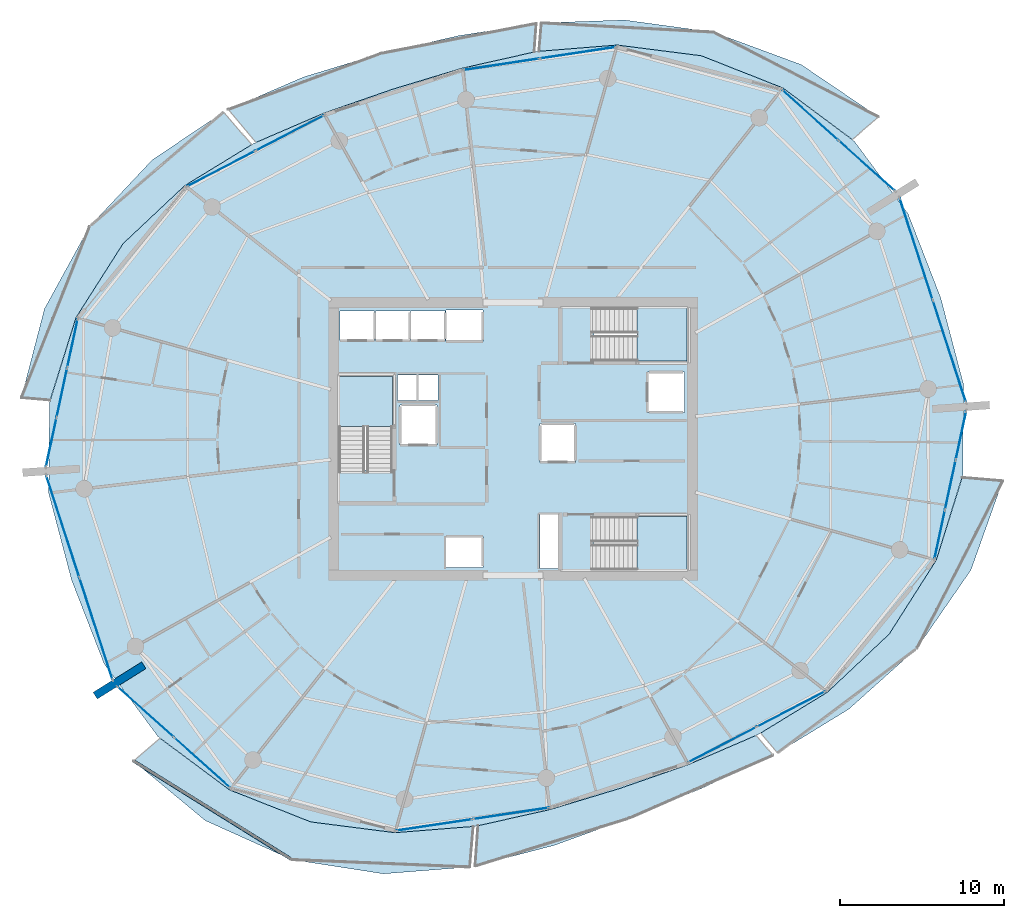
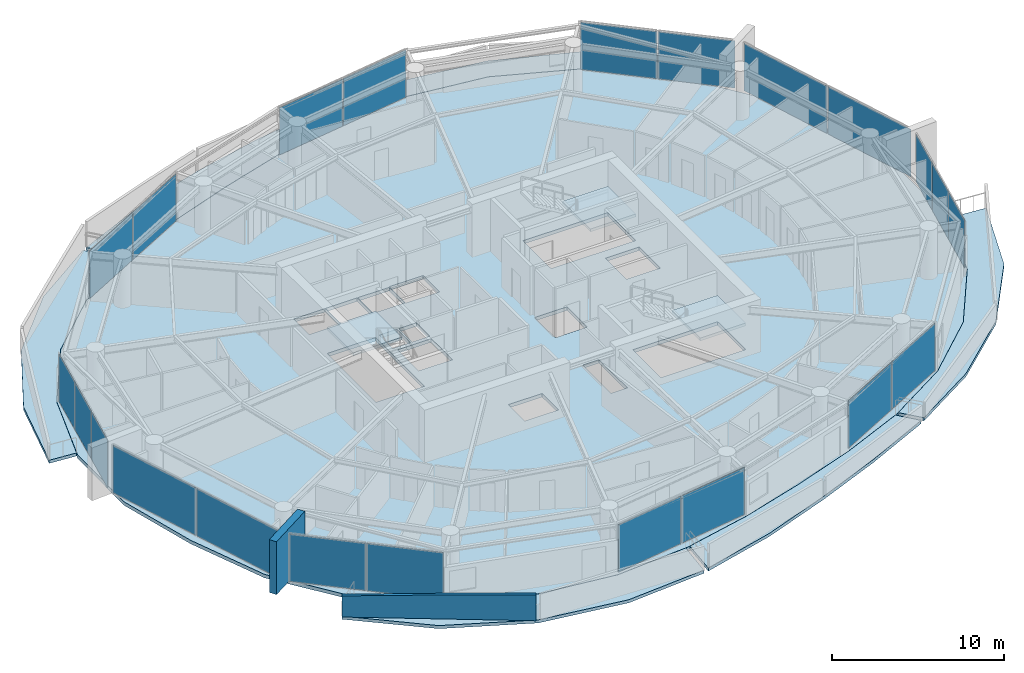
# One storey, part 10 of 20: 22 plates, 10 slabs, 2 walls, 13 elements without a shape of their own.
"""IFC4 building model written with IfcOpenShell, lengths in metres."""

from ifc_helpers import new_model, si_unit, direction, frame, frame_2d, origin, origin_2d, place, context, subcontext, project, spatial, polyline, rectangle, outline, extrude, material, layer, layer_set, type_object, element, aggregate, save


model = new_model("IFC4")

# Units and contexts
model_context = context("Model", 3, precision=1e-05, world=origin(), true_north=direction((0.0, 1.0)))
body_context = subcontext(model_context, "Body", "Model", "MODEL_VIEW")
ifc_project = project(units=[si_unit("LENGTHUNIT", "METRE"), si_unit("AREAUNIT", "SQUARE_METRE"), si_unit("VOLUMEUNIT", "CUBIC_METRE"), si_unit("PLANEANGLEUNIT", "RADIAN"), si_unit("MASSUNIT", "GRAM", prefix="KILO")], contexts=[model_context])

# Site, building, storey
site_placement = place(None, origin())
site = spatial("IfcSite", under=ifc_project, at=site_placement, CompositionType="ELEMENT")
building_placement = place(site_placement, origin())
building = spatial("IfcBuilding", under=site, at=building_placement, Name="Kazma Halo Residences", CompositionType="ELEMENT")
storey_placement = place(building_placement, frame((0.0, 0.0, 206.550048828125)))
storey = spatial("IfcBuildingStorey", under=building, at=storey_placement, Name="L52", CompositionType="ELEMENT", Elevation=206.550048828125)

# Curtain wall, plates
ifc_material_1 = material(Name="Aluminium AW-6063 T6 and Triple-Silver Low-E Glass", Category="aluminium")
ifc_layer_1 = layer(ifc_material_1, 0.219970703125)
ifc_layer_set_1 = layer_set([ifc_layer_1], Name="Aluminium AW-6063 T6 and Triple-Silver Low-E Glass")
curtain_wall_type = type_object("IfcCurtainWallType", Name="CW-SYS-4", PredefinedType="NOTDEFINED", material=ifc_layer_set_1)
curtain_wall_1_placement = place(storey_placement, origin())
curtain_wall_1 = element("IfcCurtainWall", 1, at=curtain_wall_1_placement, inside=storey, type_object=curtain_wall_type, Name="L52 unitised curtain wall B01", PredefinedType="NOTDEFINED")
ifc_material_2 = material(Name="Clear Triple-Silver Low-E Glass IGU", Category="glass")
ifc_layer_2 = layer(ifc_material_2, 0.033935546875)
ifc_layer_set_2 = layer_set([ifc_layer_2], Name="Clear Triple-Silver Low-E Glass IGU")
plate_type = type_object("IfcPlateType", Name="CW-SYS-4-PNL", PredefinedType="CURTAIN_PANEL", material=ifc_layer_set_2)
plate_1_placement = place(storey_placement, frame((70.001220703125, 58.669677734375, 0.074951171875), z_axis=(0.0, 0.0, 1.0), x_axis=(-0.744354814723, 0.667784328806, 0.0)))
plate_1 = element("IfcPlate", 2, at=plate_1_placement, type_object=plate_type, Name="CWS-4 panel 1.1", PredefinedType="CURTAIN_PANEL", context=body_context, shape_type="SweptSolid", body=[
    extrude(rectangle(XDim=4.5478515625, YDim=0.033935546875, at=origin_2d()), origin(), (0.0, 0.0, 1.0), 3.35009765625),
])
plate_2_placement = place(storey_placement, frame((66.56005859375, 61.7568359375, 0.074951171875), z_axis=(0.0, 0.0, 1.0), x_axis=(-0.744354814723, 0.667784328806, 0.0)))
plate_2 = element("IfcPlate", 3, at=plate_2_placement, type_object=plate_type, Name="CWS-4 panel 2.1", PredefinedType="CURTAIN_PANEL", context=body_context, shape_type="SweptSolid", body=[
    extrude(rectangle(XDim=4.5478515625, YDim=0.033935546875, at=origin_2d()), origin(), (0.0, 0.0, 1.0), 3.35009765625),
])
aggregate(curtain_wall_1, [plate_1, plate_2])

curtain_wall_2_placement = place(storey_placement, origin())
curtain_wall_2 = element("IfcCurtainWall", 4, at=curtain_wall_2_placement, inside=storey, type_object=curtain_wall_type, Name="L52 unitised curtain wall B03", PredefinedType="NOTDEFINED")
plate_3_placement = place(storey_placement, frame((52.375, 65.562255859375, 0.074951171875), z_axis=(0.0, 0.0, 1.0), x_axis=(-0.988871428361, -0.148772639188, 0.0)))
plate_3 = element("IfcPlate", 5, at=plate_3_placement, type_object=plate_type, Name="CWS-4 panel 1.1", PredefinedType="CURTAIN_PANEL", context=body_context, shape_type="SweptSolid", body=[
    extrude(rectangle(XDim=4.64501953125, YDim=0.033935546875, at=origin_2d()), origin(), (0.0, 0.0, 1.0), 3.35009765625),
])
plate_4_placement = place(storey_placement, frame((47.70751953125, 64.860107421875, 0.074951171875), z_axis=(0.0, 0.0, 1.0), x_axis=(-0.988871428361, -0.148772639188, 0.0)))
plate_4 = element("IfcPlate", 6, at=plate_4_placement, type_object=plate_type, Name="CWS-4 panel 2.1", PredefinedType="CURTAIN_PANEL", context=body_context, shape_type="SweptSolid", body=[
    extrude(rectangle(XDim=4.64501953125, YDim=0.033935546875, at=origin_2d()), origin(), (0.0, 0.0, 1.0), 3.35009765625),
])
aggregate(curtain_wall_2, [plate_3, plate_4])

curtain_wall_3_placement = place(storey_placement, origin())
curtain_wall_3 = element("IfcCurtainWall", 7, at=curtain_wall_3_placement, inside=storey, type_object=curtain_wall_type, Name="L52 unitised curtain wall B05", PredefinedType="NOTDEFINED")
plate_5_placement = place(storey_placement, frame((34.7998046875, 60.666015625, 0.074951171875), z_axis=(0.0, 0.0, 1.0), x_axis=(-0.887465657575, -0.460873851097, 0.0)))
plate_5 = element("IfcPlate", 8, at=plate_5_placement, type_object=plate_type, Name="CWS-4 panel 1.1", PredefinedType="CURTAIN_PANEL", context=body_context, shape_type="SweptSolid", body=[
    extrude(rectangle(XDim=4.64501953125, YDim=0.033935546875, at=origin_2d()), origin(), (0.0, 0.0, 1.0), 3.35009765625),
])
plate_6_placement = place(storey_placement, frame((30.61083984375, 58.49072265625, 0.074951171875), z_axis=(0.0, 0.0, 1.0), x_axis=(-0.887465657575, -0.460873851097, 0.0)))
plate_6 = element("IfcPlate", 9, at=plate_6_placement, type_object=plate_type, Name="CWS-4 panel 2.1", PredefinedType="CURTAIN_PANEL", context=body_context, shape_type="SweptSolid", body=[
    extrude(rectangle(XDim=4.64501953125, YDim=0.033935546875, at=origin_2d()), origin(), (0.0, 0.0, 1.0), 3.35009765625),
])
aggregate(curtain_wall_3, [plate_5, plate_6])

curtain_wall_4_placement = place(storey_placement, origin())
curtain_wall_4 = element("IfcCurtainWall", 10, at=curtain_wall_4_placement, inside=storey, type_object=curtain_wall_type, Name="L52 unitised curtain wall B07", PredefinedType="NOTDEFINED")
plate_7_placement = place(storey_placement, frame((21.53466796875, 47.833740234375, 0.074951171875), z_axis=(0.0, 0.0, 1.0), x_axis=(-0.209689543175, -0.977768017212, 0.0)))
plate_7 = element("IfcPlate", 11, at=plate_7_placement, type_object=plate_type, Name="CWS-4 panel 1.1", PredefinedType="CURTAIN_PANEL", context=body_context, shape_type="SweptSolid", body=[
    extrude(rectangle(XDim=2.994384765625, YDim=0.033935546875, at=origin_2d()), origin(), (0.0, 0.0, 1.0), 3.35009765625),
])
plate_8_placement = place(storey_placement, frame((20.88720703125, 44.814208984375, 0.074951171875), z_axis=(0.0, 0.0, 1.0), x_axis=(-0.209689543175, -0.977768017212, 0.0)))
plate_8 = element("IfcPlate", 12, at=plate_8_placement, type_object=plate_type, Name="CWS-4 panel 2.1", PredefinedType="CURTAIN_PANEL", context=body_context, shape_type="SweptSolid", body=[
    extrude(rectangle(XDim=3.031982421875, YDim=0.033935546875, at=origin_2d()), origin(), (0.0, 0.0, 1.0), 3.35009765625),
])
plate_9_placement = place(storey_placement, frame((20.239501953125, 41.794677734375, 0.074951171875), z_axis=(0.0, 0.0, 1.0), x_axis=(-0.209689543175, -0.977768017212, 0.0)))
plate_9 = element("IfcPlate", 13, at=plate_9_placement, type_object=plate_type, Name="CWS-4 panel 3.1", PredefinedType="CURTAIN_PANEL", context=body_context, shape_type="SweptSolid", body=[
    extrude(rectangle(XDim=2.994384765625, YDim=0.033935546875, at=origin_2d()), origin(), (0.0, 0.0, 1.0), 3.35009765625),
])
aggregate(curtain_wall_4, [plate_7, plate_8, plate_9])

curtain_wall_5_placement = place(storey_placement, origin())
curtain_wall_5 = element("IfcCurtainWall", 14, at=curtain_wall_5_placement, inside=storey, type_object=curtain_wall_type, Name="L52 unitised curtain wall B08", PredefinedType="NOTDEFINED")
plate_10_placement = place(storey_placement, frame((20.942626953125, 36.658447265625, 0.074951171875), z_axis=(0.0, 0.0, 1.0), x_axis=(0.309015833038, -0.951056893636, 0.0)))
plate_10 = element("IfcPlate", 15, at=plate_10_placement, type_object=plate_type, Name="CWS-4 panel 1.1", PredefinedType="CURTAIN_PANEL", context=body_context, shape_type="SweptSolid", body=[
    extrude(rectangle(XDim=6.487060546875, YDim=0.033935546875, at=origin_2d()), origin(), (0.0, 0.0, 1.0), 3.35009765625),
])
plate_11_placement = place(storey_placement, frame((22.970458984375, 30.41748046875, 0.074951171875), z_axis=(0.0, 0.0, 1.0), x_axis=(0.309015833038, -0.951056893636, 0.0)))
plate_11 = element("IfcPlate", 16, at=plate_11_placement, type_object=plate_type, Name="CWS-4 panel 2.1", PredefinedType="CURTAIN_PANEL", context=body_context, shape_type="SweptSolid", body=[
    extrude(rectangle(XDim=6.487060546875, YDim=0.033935546875, at=origin_2d()), origin(), (0.0, 0.0, 1.0), 3.35009765625),
])
aggregate(curtain_wall_5, [plate_10, plate_11])

curtain_wall_6_placement = place(storey_placement, origin())
curtain_wall_6 = element("IfcCurtainWall", 17, at=curtain_wall_6_placement, inside=storey, type_object=curtain_wall_type, Name="L52 unitised curtain wall B09", PredefinedType="NOTDEFINED")
plate_12_placement = place(storey_placement, frame((25.998779296875, 25.330322265625, 0.074951171875), z_axis=(0.0, 0.0, 1.0), x_axis=(0.744354814723, -0.667784328806, 0.0)))
plate_12 = element("IfcPlate", 18, at=plate_12_placement, type_object=plate_type, Name="CWS-4 panel 1.1", PredefinedType="CURTAIN_PANEL", context=body_context, shape_type="SweptSolid", body=[
    extrude(rectangle(XDim=4.5478515625, YDim=0.033935546875, at=origin_2d()), origin(), (0.0, 0.0, 1.0), 3.35009765625),
])
plate_13_placement = place(storey_placement, frame((29.43994140625, 22.2431640625, 0.074951171875), z_axis=(0.0, 0.0, 1.0), x_axis=(0.744354814723, -0.667784328806, 0.0)))
plate_13 = element("IfcPlate", 19, at=plate_13_placement, type_object=plate_type, Name="CWS-4 panel 2.1", PredefinedType="CURTAIN_PANEL", context=body_context, shape_type="SweptSolid", body=[
    extrude(rectangle(XDim=4.5478515625, YDim=0.033935546875, at=origin_2d()), origin(), (0.0, 0.0, 1.0), 3.35009765625),
])
aggregate(curtain_wall_6, [plate_12, plate_13])

curtain_wall_7_placement = place(storey_placement, origin())
curtain_wall_7 = element("IfcCurtainWall", 20, at=curtain_wall_7_placement, inside=storey, type_object=curtain_wall_type, Name="L52 unitised curtain wall B11", PredefinedType="NOTDEFINED")
plate_14_placement = place(storey_placement, frame((43.625, 18.437744140625, 0.074951171875), z_axis=(0.0, 0.0, 1.0), x_axis=(0.988871428361, 0.148772639188, 0.0)))
plate_14 = element("IfcPlate", 21, at=plate_14_placement, type_object=plate_type, Name="CWS-4 panel 1.1", PredefinedType="CURTAIN_PANEL", context=body_context, shape_type="SweptSolid", body=[
    extrude(rectangle(XDim=4.64501953125, YDim=0.033935546875, at=origin_2d()), origin(), (0.0, 0.0, 1.0), 3.35009765625),
])
plate_15_placement = place(storey_placement, frame((48.29248046875, 19.139892578125, 0.074951171875), z_axis=(0.0, 0.0, 1.0), x_axis=(0.988871428361, 0.148772639188, 0.0)))
plate_15 = element("IfcPlate", 22, at=plate_15_placement, type_object=plate_type, Name="CWS-4 panel 2.1", PredefinedType="CURTAIN_PANEL", context=body_context, shape_type="SweptSolid", body=[
    extrude(rectangle(XDim=4.64501953125, YDim=0.033935546875, at=origin_2d()), origin(), (0.0, 0.0, 1.0), 3.35009765625),
])
aggregate(curtain_wall_7, [plate_14, plate_15])

curtain_wall_8_placement = place(storey_placement, origin())
curtain_wall_8 = element("IfcCurtainWall", 23, at=curtain_wall_8_placement, inside=storey, type_object=curtain_wall_type, Name="L52 unitised curtain wall B13", PredefinedType="NOTDEFINED")
plate_16_placement = place(storey_placement, frame((61.2001953125, 23.333984375, 0.074951171875), z_axis=(0.0, 0.0, 1.0), x_axis=(0.887465657575, 0.460873851097, 0.0)))
plate_16 = element("IfcPlate", 24, at=plate_16_placement, type_object=plate_type, Name="CWS-4 panel 1.1", PredefinedType="CURTAIN_PANEL", context=body_context, shape_type="SweptSolid", body=[
    extrude(rectangle(XDim=4.64501953125, YDim=0.033935546875, at=origin_2d()), origin(), (0.0, 0.0, 1.0), 3.35009765625),
])
plate_17_placement = place(storey_placement, frame((65.38916015625, 25.50927734375, 0.074951171875), z_axis=(0.0, 0.0, 1.0), x_axis=(0.887465657575, 0.460873851097, 0.0)))
plate_17 = element("IfcPlate", 25, at=plate_17_placement, type_object=plate_type, Name="CWS-4 panel 2.1", PredefinedType="CURTAIN_PANEL", context=body_context, shape_type="SweptSolid", body=[
    extrude(rectangle(XDim=4.64501953125, YDim=0.033935546875, at=origin_2d()), origin(), (0.0, 0.0, 1.0), 3.35009765625),
])
aggregate(curtain_wall_8, [plate_16, plate_17])

curtain_wall_9_placement = place(storey_placement, origin())
curtain_wall_9 = element("IfcCurtainWall", 26, at=curtain_wall_9_placement, inside=storey, type_object=curtain_wall_type, Name="L52 unitised curtain wall B15", PredefinedType="NOTDEFINED")
plate_18_placement = place(storey_placement, frame((74.46533203125, 36.166259765625, 0.074951171875), z_axis=(0.0, 0.0, 1.0), x_axis=(0.209689543175, 0.977768017212, 0.0)))
plate_18 = element("IfcPlate", 27, at=plate_18_placement, type_object=plate_type, Name="CWS-4 panel 1.1", PredefinedType="CURTAIN_PANEL", context=body_context, shape_type="SweptSolid", body=[
    extrude(rectangle(XDim=2.994384765625, YDim=0.033935546875, at=origin_2d()), origin(), (0.0, 0.0, 1.0), 3.35009765625),
])
plate_19_placement = place(storey_placement, frame((75.11279296875, 39.185791015625, 0.074951171875), z_axis=(0.0, 0.0, 1.0), x_axis=(0.209689543175, 0.977768017212, 0.0)))
plate_19 = element("IfcPlate", 28, at=plate_19_placement, type_object=plate_type, Name="CWS-4 panel 2.1", PredefinedType="CURTAIN_PANEL", context=body_context, shape_type="SweptSolid", body=[
    extrude(rectangle(XDim=3.031982421875, YDim=0.033935546875, at=origin_2d()), origin(), (0.0, 0.0, 1.0), 3.35009765625),
])
plate_20_placement = place(storey_placement, frame((75.760498046875, 42.205322265625, 0.074951171875), z_axis=(0.0, 0.0, 1.0), x_axis=(0.209689543175, 0.977768017212, 0.0)))
plate_20 = element("IfcPlate", 29, at=plate_20_placement, type_object=plate_type, Name="CWS-4 panel 3.1", PredefinedType="CURTAIN_PANEL", context=body_context, shape_type="SweptSolid", body=[
    extrude(rectangle(XDim=2.994384765625, YDim=0.033935546875, at=origin_2d()), origin(), (0.0, 0.0, 1.0), 3.35009765625),
])
aggregate(curtain_wall_9, [plate_18, plate_19, plate_20])

curtain_wall_10_placement = place(storey_placement, origin())
curtain_wall_10 = element("IfcCurtainWall", 30, at=curtain_wall_10_placement, inside=storey, type_object=curtain_wall_type, Name="L52 unitised curtain wall B16", PredefinedType="NOTDEFINED")
plate_21_placement = place(storey_placement, frame((75.057373046875, 47.341552734375, 0.074951171875), z_axis=(0.0, 0.0, 1.0), x_axis=(-0.309015833038, 0.951056893636, 0.0)))
plate_21 = element("IfcPlate", 31, at=plate_21_placement, type_object=plate_type, Name="CWS-4 panel 1.1", PredefinedType="CURTAIN_PANEL", context=body_context, shape_type="SweptSolid", body=[
    extrude(rectangle(XDim=6.487060546875, YDim=0.033935546875, at=origin_2d()), origin(), (0.0, 0.0, 1.0), 3.35009765625),
])
plate_22_placement = place(storey_placement, frame((73.029541015625, 53.58251953125, 0.074951171875), z_axis=(0.0, 0.0, 1.0), x_axis=(-0.309015833038, 0.951056893636, 0.0)))
plate_22 = element("IfcPlate", 32, at=plate_22_placement, type_object=plate_type, Name="CWS-4 panel 2.1", PredefinedType="CURTAIN_PANEL", context=body_context, shape_type="SweptSolid", body=[
    extrude(rectangle(XDim=6.487060546875, YDim=0.033935546875, at=origin_2d()), origin(), (0.0, 0.0, 1.0), 3.35009765625),
])
aggregate(curtain_wall_10, [plate_21, plate_22])

# Slabs
ifc_material_3 = material(Name="White Concrete C50/60", Category="concrete")
ifc_layer_3 = layer(ifc_material_3, 0.219970703125)
ifc_layer_set_3 = layer_set([ifc_layer_3], Name="White Concrete C50/60")
slab_type_1 = type_object("IfcSlabType", Name="SLB-BAL-WAVE-210", PredefinedType="FLOOR", material=ifc_layer_set_3)
slab_1_placement = place(storey_placement, frame((0.0, 0.0, -0.219970703125)))
element("IfcSlab", 33, at=slab_1_placement, inside=storey, type_object=slab_type_1, Name="L52 NE cantilevered wave balcony slab", PredefinedType="FLOOR", context=body_context, shape_type="SweptSolid", body=[
    extrude(outline(polyline([(69.130126953125, 60.271240234375), (64.88720703125, 63.421142578125), (59.913818359375, 65.382080078125), (54.779052734375, 66.036376953125), (50.007080078125, 65.656005859375), (50.15380859375, 67.384521484375), (55.2099609375, 67.564697265625), (60.648193359375, 66.8232421875), (66.007080078125, 64.841796875), (70.725830078125, 61.65087890625), (69.130126953125, 60.271240234375)])), origin(), (0.0, 0.0, 1.0), 0.219970703125),
])
slab_2_placement = place(storey_placement, frame((0.0, 0.0, -0.219970703125)))
element("IfcSlab", 34, at=slab_2_placement, inside=storey, type_object=slab_type_1, Name="L52 NNW cantilevered wave balcony slab", PredefinedType="FLOOR", context=body_context, shape_type="SweptSolid", body=[
    extrude(outline(polyline([(49.713134765625, 65.612060546875), (45.322265625, 64.62451171875), (41.066650390625, 63.338623046875), (36.867919921875, 61.877685546875), (32.735107421875, 60.095458984375), (31.04296875, 62.1015625), (35.631591796875, 64.085205078125), (40.35693359375, 65.523193359375), (45.08740234375, 66.607177734375), (49.83935546875, 67.351318359375), (49.713134765625, 65.612060546875)])), origin(), (0.0, 0.0, 1.0), 0.219970703125),
])
slab_3_placement = place(storey_placement, frame((0.0, 0.0, -0.219970703125)))
element("IfcSlab", 35, at=slab_3_placement, inside=storey, type_object=slab_type_1, Name="L52 NW cantilevered wave balcony slab", PredefinedType="FLOOR", context=body_context, shape_type="SweptSolid", body=[
    extrude(outline(polyline([(32.471435546875, 59.958251953125), (28.387451171875, 57.461181640625), (24.617919921875, 53.913818359375), (21.7470703125, 49.404052734375), (20.165771484375, 44.36181640625), (18.413818359375, 44.510498046875), (19.825439453125, 49.946044921875), (22.5712890625, 54.95654296875), (26.400390625, 59.02783203125), (30.751708984375, 61.947021484375), (32.471435546875, 59.958251953125)])), origin(), (0.0, 0.0, 1.0), 0.219970703125),
])
slab_4_placement = place(storey_placement, frame((0.0, 0.0, -0.219970703125)))
element("IfcSlab", 36, at=slab_4_placement, inside=storey, type_object=slab_type_1, Name="L52 SW cantilevered wave balcony slab", PredefinedType="FLOOR", context=body_context, shape_type="SweptSolid", body=[
    extrude(outline(polyline([(26.869873046875, 23.728759765625), (31.11279296875, 20.578857421875), (36.086181640625, 18.617919921875), (41.220947265625, 17.963623046875), (45.992919921875, 18.343994140625), (45.78271484375, 15.869384765625), (40.51318359375, 15.453369140625), (34.915771484375, 16.320556640625), (29.63525390625, 18.704345703125), (25.259765625, 22.33642578125), (26.869873046875, 23.728759765625)])), origin(), (0.0, 0.0, 1.0), 0.219970703125),
])
slab_5_placement = place(storey_placement, frame((0.0, 0.0, -0.219970703125)))
element("IfcSlab", 37, at=slab_5_placement, inside=storey, type_object=slab_type_1, Name="L52 SSE cantilevered wave balcony slab", PredefinedType="FLOOR", context=body_context, shape_type="SweptSolid", body=[
    extrude(outline(polyline([(46.286865234375, 18.387939453125), (50.677734375, 19.37548828125), (54.933349609375, 20.661376953125), (59.132080078125, 22.122314453125), (63.264892578125, 23.904541015625), (64.28662109375, 22.693115234375), (59.94580078125, 20.669189453125), (55.520263671875, 18.855224609375), (50.936279296875, 17.19140625), (46.1083984375, 15.928955078125), (46.286865234375, 18.387939453125)])), origin(), (0.0, 0.0, 1.0), 0.219970703125),
])
slab_6_placement = place(storey_placement, frame((0.0, 0.0, -0.219970703125)))
element("IfcSlab", 38, at=slab_6_placement, inside=storey, type_object=slab_type_1, Name="L52 SE cantilevered wave balcony slab", PredefinedType="FLOOR", context=body_context, shape_type="SweptSolid", body=[
    extrude(outline(polyline([(63.528564453125, 24.041748046875), (67.612548828125, 26.538818359375), (71.382080078125, 30.086181640625), (74.2529296875, 34.595947265625), (75.834228515625, 39.63818359375), (78.305419921875, 39.4287109375), (76.369873046875, 33.998779296875), (73.073974609375, 29.22412109375), (68.920654296875, 25.507568359375), (64.568115234375, 22.839599609375), (63.528564453125, 24.041748046875)])), origin(), (0.0, 0.0, 1.0), 0.219970703125),
])
ifc_material_4 = material(Name="Concrete C50/60", Category="concrete")
ifc_layer_4 = layer(ifc_material_4, 0.25)
ifc_layer_set_4 = layer_set([ifc_layer_4], Name="Concrete C50/60")
slab_type_2 = type_object("IfcSlabType", Name="SLB-RES-250", PredefinedType="FLOOR", material=ifc_layer_set_4)
slab_7_placement = place(storey_placement, frame((0.0, 0.0, -0.25)))
element("IfcSlab", 39, at=slab_7_placement, inside=storey, type_object=slab_type_2, Name="L52 structural floor slab", PredefinedType="FLOOR", context=body_context, shape_type="SweptSolid", body=[
    extrude(outline(polyline([(74.521484375, 50.617431640625), (72.531982421875, 55.738525390625), (69.2587890625, 60.156494140625), (64.8857421875, 63.41943359375), (59.912841796875, 65.380126953125), (54.7783203125, 66.034423828125), (49.860595703125, 65.64111328125), (45.322509765625, 64.62255859375), (41.0673828125, 63.336669921875), (36.868896484375, 61.875732421875), (32.598876953125, 60.032470703125), (28.388916015625, 57.460205078125), (24.619873046875, 53.912841796875), (21.7490234375, 49.403564453125), (20.129150390625, 44.193603515625), (20.07763671875, 38.6953125), (21.478515625, 33.382568359375), (23.468017578125, 28.261474609375), (26.7412109375, 23.843505859375), (31.1142578125, 20.58056640625), (36.087158203125, 18.619873046875), (41.2216796875, 17.965576171875), (46.139404296875, 18.35888671875), (50.677490234375, 19.37744140625), (54.9326171875, 20.663330078125), (59.131103515625, 22.124267578125), (63.401123046875, 23.967529296875), (67.611083984375, 26.539794921875), (71.380126953125, 30.087158203125), (74.2509765625, 34.596435546875), (75.870849609375, 39.806396484375), (75.92236328125, 45.3046875), (74.521484375, 50.617431640625)]), holes=[polyline([(37.800048828125, 40.110107421875), (41.050048828125, 40.110107421875), (41.050048828125, 45.800048828125), (37.800048828125, 45.800048828125), (37.800048828125, 40.110107421875)]), polyline([(53.360107421875, 46.75), (59.050048828125, 46.75), (59.050048828125, 50.0), (53.360107421875, 50.0), (53.360107421875, 46.75)]), polyline([(53.360107421875, 34.0), (59.050048828125, 34.0), (59.050048828125, 37.25), (53.360107421875, 37.25), (53.360107421875, 34.0)]), polyline([(41.52001953125, 41.6201171875), (43.780029296875, 41.6201171875), (43.780029296875, 44.080078125), (41.52001953125, 44.080078125), (41.52001953125, 41.6201171875)]), polyline([(56.6201171875, 43.6201171875), (58.8798828125, 43.6201171875), (58.8798828125, 46.080078125), (56.6201171875, 46.080078125), (56.6201171875, 43.6201171875)]), polyline([(37.864990234375, 47.9951171875), (39.97509765625, 47.9951171875), (39.97509765625, 49.804931640625), (37.864990234375, 49.804931640625), (37.864990234375, 47.9951171875)]), polyline([(40.014892578125, 47.9951171875), (42.125, 47.9951171875), (42.125, 49.804931640625), (40.014892578125, 49.804931640625), (40.014892578125, 47.9951171875)]), polyline([(42.1650390625, 47.9951171875), (44.27490234375, 47.9951171875), (44.27490234375, 49.804931640625), (42.1650390625, 49.804931640625), (42.1650390625, 47.9951171875)]), polyline([(44.320068359375, 47.945068359375), (46.580078125, 47.945068359375), (46.580078125, 49.85498046875), (44.320068359375, 49.85498046875), (44.320068359375, 47.945068359375)]), polyline([(44.320068359375, 34.14501953125), (46.580078125, 34.14501953125), (46.580078125, 36.054931640625), (44.320068359375, 36.054931640625), (44.320068359375, 34.14501953125)]), polyline([(50.070068359375, 40.570068359375), (52.22998046875, 40.570068359375), (52.22998046875, 42.929931640625), (50.070068359375, 42.929931640625), (50.070068359375, 40.570068359375)]), polyline([(41.360107421875, 44.340087890625), (42.5400390625, 44.340087890625), (42.5400390625, 45.89990234375), (41.360107421875, 45.89990234375), (41.360107421875, 44.340087890625)]), polyline([(42.659912109375, 44.340087890625), (43.840087890625, 44.340087890625), (43.840087890625, 45.89990234375), (42.659912109375, 45.89990234375), (42.659912109375, 44.340087890625)]), polyline([(50.06005859375, 34.080078125), (51.159912109375, 34.080078125), (51.159912109375, 37.3798828125), (50.06005859375, 37.3798828125), (50.06005859375, 34.080078125)])]), origin(), (0.0, 0.0, 1.0), 0.25),
])

# Stair, slab
stair_type = type_object("IfcStairType", Name="STR-RES1", PredefinedType="HALF_TURN_STAIR", material=ifc_material_4)
stair_1_placement = place(storey_placement, origin())
stair_1 = element("IfcStair", 40, at=stair_1_placement, inside=storey, type_object=stair_type, Name="L52 Core exit stair ST-01", PredefinedType="HALF_TURN_STAIR")
ifc_layer_5 = layer(ifc_material_4, 0.199951171875)
ifc_layer_set_5 = layer_set([ifc_layer_5], Name="Concrete C50/60")
slab_type_3 = type_object("IfcSlabType", Name="SLB-STAIR-LND-200", PredefinedType="LANDING", material=ifc_layer_set_5)
slab_8_placement = place(storey_placement, frame((0.0, 0.0, 1.675048828125)))
slab_8 = element("IfcSlab", 41, at=slab_8_placement, type_object=slab_type_3, Name="ST-01 landing 1", PredefinedType="LANDING", context=body_context, shape_type="SweptSolid", body=[
    extrude(outline(polyline([(41.050048828125, 42.75), (41.050048828125, 45.800048828125), (37.800048828125, 45.800048828125), (37.800048828125, 42.75), (41.050048828125, 42.75)])), origin(), (0.0, 0.0, 1.0), 0.199951171875),
])
aggregate(stair_1, [slab_8])

stair_2_placement = place(storey_placement, origin())
stair_2 = element("IfcStair", 42, at=stair_2_placement, inside=storey, type_object=stair_type, Name="L52 Core exit stair ST-02", PredefinedType="HALF_TURN_STAIR")
slab_9_placement = place(storey_placement, frame((0.0, 0.0, 1.675048828125)))
slab_9 = element("IfcSlab", 43, at=slab_9_placement, type_object=slab_type_3, Name="ST-02 landing 1", PredefinedType="LANDING", context=body_context, shape_type="SweptSolid", body=[
    extrude(outline(polyline([(56.0, 46.75), (59.050048828125, 46.75), (59.050048828125, 50.0), (56.0, 50.0), (56.0, 46.75)])), origin(), (0.0, 0.0, 1.0), 0.199951171875),
])
aggregate(stair_2, [slab_9])

stair_3_placement = place(storey_placement, origin())
stair_3 = element("IfcStair", 44, at=stair_3_placement, inside=storey, type_object=stair_type, Name="L52 Core exit stair ST-03", PredefinedType="HALF_TURN_STAIR")
slab_10_placement = place(storey_placement, frame((0.0, 0.0, 1.675048828125)))
slab_10 = element("IfcSlab", 45, at=slab_10_placement, type_object=slab_type_3, Name="ST-03 landing 1", PredefinedType="LANDING", context=body_context, shape_type="SweptSolid", body=[
    extrude(outline(polyline([(56.0, 34.0), (59.050048828125, 34.0), (59.050048828125, 37.25), (56.0, 37.25), (56.0, 34.0)])), origin(), (0.0, 0.0, 1.0), 0.199951171875),
])
aggregate(stair_3, [slab_10])

# Walls
ifc_material_5 = material(Name="White Concrete C50/60 Balustrade", Category="concrete")
ifc_layer_6 = layer(ifc_material_5, 0.179931640625)
ifc_layer_set_6 = layer_set([ifc_layer_6], Name="White Concrete C50/60 Balustrade")
wall_type_1 = type_object("IfcWallType", Name="WL-BAL-WAVE-180", PredefinedType="PARAPET", material=ifc_layer_set_6)
wall_1_placement = place(storey_placement, frame((25.259765625, 22.33642578125, 0.0), z_axis=(0.0, 0.0, 1.0), x_axis=(0.84875531388, -0.528785795158, 0.0)))
element("IfcWall", 46, at=wall_1_placement, inside=storey, type_object=wall_type_1, Name="L52 white wave balustrade wall SW.1", PredefinedType="PARAPET", context=body_context, shape_type="SweptSolid", body=[
    extrude(outline(polyline([(0.0, 0.0), (11.2568359375, 0.0), (11.256591796875, 1.83203125), (5.62841796875, 1.696044921875), (0.0, 1.4970703125), (0.0, 0.0)])), frame((0.0, 0.08984375, 0.0), z_axis=(0.0, -1.0, 0.0), x_axis=(1.0, 0.0, 0.0)), (0.0, 0.0, 1.0), 0.179931640625),
])
ifc_material_6 = material(Name="Pale Concrete C60/75", Category="concrete")
ifc_layer_7 = layer(ifc_material_6, 0.47998046875)
ifc_layer_set_7 = layer_set([ifc_layer_7], Name="Pale Concrete C60/75")
wall_type_2 = type_object("IfcWallType", Name="WL-BLADE-480", PredefinedType="SOLIDWALL", material=ifc_layer_set_7)
wall_2_placement = place(storey_placement, frame((25.88623046875, 28.181884765625, 0.0), z_axis=(0.0, 0.0, 1.0), x_axis=(-0.848033572426, -0.529942506352, 0.0)))
element("IfcWall", 47, at=wall_2_placement, inside=storey, type_object=wall_type_2, Name="L52 pale concrete structural blade fin wall BW-03", PredefinedType="SOLIDWALL", context=body_context, shape_type="SweptSolid", body=[
    extrude(rectangle(XDim=3.5, YDim=0.47998046875, at=frame_2d((1.75, 0.0))), origin(), (0.0, 0.0, 1.0), 3.75),
])

save(model, "model.ifc")
